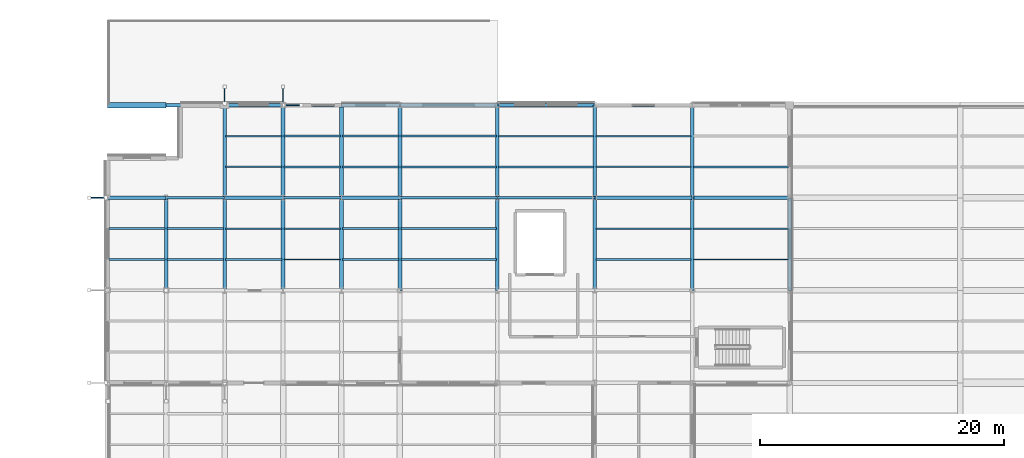
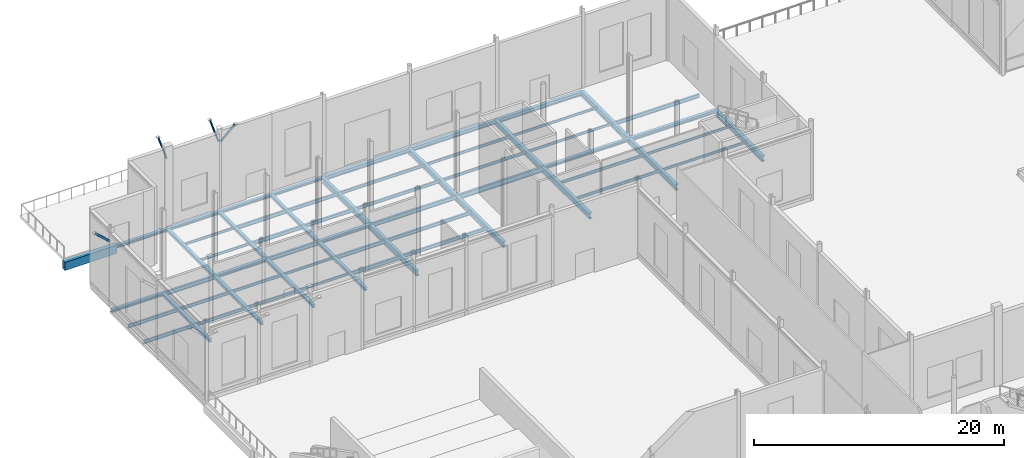
# One storey, part 113 of 176: 62 beams, 4 members.
"""IFC4 building model written with IfcOpenShell, lengths in metres."""

from ifc_helpers import new_model, si_unit, direction, frame, origin, origin_2d, place, context, subcontext, project, spatial, rectangle, hollow_rectangle, i_section, extrude, material, material_profile, profile_set, type_object, element, save


model = new_model("IFC4")

# Units and contexts
model_context = context("Model", 3, precision=1e-05, world=origin(), true_north=direction((0.0, 1.0)))
body_context = subcontext(model_context, "Body", "Model", "MODEL_VIEW")
ifc_project = project(units=[si_unit("LENGTHUNIT", "METRE"), si_unit("AREAUNIT", "SQUARE_METRE"), si_unit("VOLUMEUNIT", "CUBIC_METRE"), si_unit("PLANEANGLEUNIT", "RADIAN"), si_unit("MASSUNIT", "GRAM", prefix="KILO")], contexts=[model_context])

# Site, building, storey
site_placement = place(None, origin())
site = spatial("IfcSite", under=ifc_project, at=site_placement, CompositionType="ELEMENT")
building_placement = place(site_placement, origin())
building = spatial("IfcBuilding", under=site, at=building_placement, Name="Vekula Escarpment Museum", CompositionType="ELEMENT")
storey_placement = place(building_placement, origin())
storey = spatial("IfcBuildingStorey", under=building, at=storey_placement, Name="L01", CompositionType="ELEMENT", Elevation=0.0)

# Beams
ifc_material_1 = material(Name="Steel S355", Category="steel")
ifc_material_profile_1 = material_profile(ifc_material_1, i_section(OverallWidth=0.280029296875, OverallDepth=0.280029296875, WebThickness=0.010498046875, FlangeThickness=0.01806640625, FilletRadius=0.02392578125, at=origin_2d()), Name="HEB 280")
ifc_profile_set_1 = profile_set([ifc_material_profile_1], Name="Steel S355")
beam_type_1 = type_object("IfcBeamType", Name="BM-GIRD-HEB280", PredefinedType="BEAM", material=ifc_profile_set_1)
beam_1_placement = place(storey_placement, frame((0.0, 128.39990234375, -0.489990234375), z_axis=(1.0, 0.0, 0.0), x_axis=(0.0, 1.0, 0.0)))
element("IfcBeam", 1, at=beam_1_placement, inside=storey, type_object=beam_type_1, Name="Beam X L01 0352", PredefinedType="BEAM", context=body_context, shape_type="SweptSolid", body=[
    extrude(i_section(OverallWidth=0.280029296875, OverallDepth=0.280029296875, WebThickness=0.010498046875, FlangeThickness=0.01806640625, FilletRadius=0.02392578125, at=origin_2d()), origin(), (0.0, 0.0, 1.0), 4.800048828125),
])
beam_2_placement = place(storey_placement, frame((40.0, 128.39990234375, -0.489990234375), z_axis=(1.0, 0.0, 0.0), x_axis=(0.0, 1.0, 0.0)))
element("IfcBeam", 2, at=beam_2_placement, inside=storey, type_object=beam_type_1, Name="Beam X L01 0359", PredefinedType="BEAM", context=body_context, shape_type="SweptSolid", body=[
    extrude(i_section(OverallWidth=0.280029296875, OverallDepth=0.280029296875, WebThickness=0.010498046875, FlangeThickness=0.01806640625, FilletRadius=0.02392578125, at=origin_2d()), origin(), (0.0, 0.0, 1.0), 8.0),
])
ifc_material_2 = material(Name="Steel S355", Category="steel")
ifc_material_profile_2 = material_profile(ifc_material_2, i_section(OverallWidth=0.300048828125, OverallDepth=0.300048828125, WebThickness=0.010986328125, FlangeThickness=0.01904296875, FilletRadius=0.027099609375, at=origin_2d()), Name="HEB 300")
ifc_profile_set_2 = profile_set([ifc_material_profile_2], Name="Steel S355")
beam_type_2 = type_object("IfcBeamType", Name="BM-GIRD-HEB300", PredefinedType="BEAM", material=ifc_profile_set_2)
beam_3_placement = place(storey_placement, frame((9.60009765625, 128.39990234375, -0.5), z_axis=(1.0, 0.0, 0.0), x_axis=(0.0, 1.0, 0.0)))
element("IfcBeam", 3, at=beam_3_placement, inside=storey, type_object=beam_type_2, Name="Beam X L01 0354", PredefinedType="BEAM", context=body_context, shape_type="SweptSolid", body=[
    extrude(i_section(OverallWidth=0.300048828125, OverallDepth=0.300048828125, WebThickness=0.010986328125, FlangeThickness=0.01904296875, FilletRadius=0.027099609375, at=origin_2d()), origin(), (0.0, 0.0, 1.0), 4.7998046875),
])
beam_4_placement = place(storey_placement, frame((19.199951171875, 128.39990234375, -0.5), z_axis=(1.0, 0.0, 0.0), x_axis=(0.0, 1.0, 0.0)))
element("IfcBeam", 4, at=beam_4_placement, inside=storey, type_object=beam_type_2, Name="Beam X L01 0356", PredefinedType="BEAM", context=body_context, shape_type="SweptSolid", body=[
    extrude(i_section(OverallWidth=0.300048828125, OverallDepth=0.300048828125, WebThickness=0.010986328125, FlangeThickness=0.01904296875, FilletRadius=0.027099609375, at=origin_2d()), origin(), (0.0, 0.0, 1.0), 4.800048828125),
])
ifc_material_3 = material(Name="Steel S355", Category="steel")
ifc_material_profile_3 = material_profile(ifc_material_3, i_section(OverallWidth=0.300048828125, OverallDepth=0.320068359375, WebThickness=0.011474609375, FlangeThickness=0.0205078125, FilletRadius=0.027099609375, at=origin_2d()), Name="HEB 320")
ifc_profile_set_3 = profile_set([ifc_material_profile_3], Name="Steel S355")
beam_type_3 = type_object("IfcBeamType", Name="BM-GIRD-HEB320", PredefinedType="BEAM", material=ifc_profile_set_3)
beam_5_placement = place(storey_placement, frame((48.0, 128.39990234375, -0.510009765625), z_axis=(1.0, 0.0, 0.0), x_axis=(0.0, 1.0, 0.0)))
element("IfcBeam", 5, at=beam_5_placement, inside=storey, type_object=beam_type_3, Name="Beam X L01 0360", PredefinedType="BEAM", context=body_context, shape_type="SweptSolid", body=[
    extrude(i_section(OverallWidth=0.300048828125, OverallDepth=0.320068359375, WebThickness=0.011474609375, FlangeThickness=0.0205078125, FilletRadius=0.027099609375, at=origin_2d()), origin(), (0.0, 0.0, 1.0), 8.0),
])
ifc_material_4 = material(Name="Steel S355", Category="steel")
ifc_material_profile_4 = material_profile(ifc_material_4, i_section(OverallWidth=0.300048828125, OverallDepth=0.550048828125, WebThickness=0.014892578125, FlangeThickness=0.029052734375, FilletRadius=0.027099609375, at=origin_2d()), Name="HEB 550")
ifc_profile_set_4 = profile_set([ifc_material_profile_4], Name="Steel S355")
beam_type_4 = type_object("IfcBeamType", Name="BM-GIRD-HEB550", PredefinedType="BEAM", material=ifc_profile_set_4)
beam_6_placement = place(storey_placement, frame((24.0, 120.800048828125, -0.625), z_axis=(0.0, 1.0, 0.0), x_axis=(-1.0, 0.0, 0.0)))
element("IfcBeam", 6, at=beam_6_placement, inside=storey, type_object=beam_type_4, Name="Beam Y L01 0459", PredefinedType="BEAM", context=body_context, shape_type="SweptSolid", body=[
    extrude(i_section(OverallWidth=0.300048828125, OverallDepth=0.550048828125, WebThickness=0.014892578125, FlangeThickness=0.029052734375, FilletRadius=0.027099609375, at=origin_2d()), origin(), (0.0, 0.0, 1.0), 7.599853515625),
])
beam_7_placement = place(storey_placement, frame((24.0, 128.39990234375, -0.625), z_axis=(0.0, 1.0, 0.0), x_axis=(-1.0, 0.0, 0.0)))
element("IfcBeam", 7, at=beam_7_placement, inside=storey, type_object=beam_type_4, Name="Beam Y L01 0460", PredefinedType="BEAM", context=body_context, shape_type="SweptSolid", body=[
    extrude(i_section(OverallWidth=0.300048828125, OverallDepth=0.550048828125, WebThickness=0.014892578125, FlangeThickness=0.029052734375, FilletRadius=0.027099609375, at=origin_2d()), origin(), (0.0, 0.0, 1.0), 7.60009765625),
])
beam_8_placement = place(storey_placement, frame((32.0, 120.800048828125, -0.625), z_axis=(0.0, 1.0, 0.0), x_axis=(-1.0, 0.0, 0.0)))
element("IfcBeam", 8, at=beam_8_placement, inside=storey, type_object=beam_type_4, Name="Beam Y L01 0477", PredefinedType="BEAM", context=body_context, shape_type="SweptSolid", body=[
    extrude(i_section(OverallWidth=0.300048828125, OverallDepth=0.550048828125, WebThickness=0.014892578125, FlangeThickness=0.029052734375, FilletRadius=0.027099609375, at=origin_2d()), origin(), (0.0, 0.0, 1.0), 7.599853515625),
])
beam_9_placement = place(storey_placement, frame((32.0, 128.39990234375, -0.625), z_axis=(0.0, 1.0, 0.0), x_axis=(-1.0, 0.0, 0.0)))
element("IfcBeam", 9, at=beam_9_placement, inside=storey, type_object=beam_type_4, Name="Beam Y L01 0478", PredefinedType="BEAM", context=body_context, shape_type="SweptSolid", body=[
    extrude(i_section(OverallWidth=0.300048828125, OverallDepth=0.550048828125, WebThickness=0.014892578125, FlangeThickness=0.029052734375, FilletRadius=0.027099609375, at=origin_2d()), origin(), (0.0, 0.0, 1.0), 7.60009765625),
])
beam_10_placement = place(storey_placement, frame((40.0, 120.800048828125, -0.625), z_axis=(0.0, 1.0, 0.0), x_axis=(-1.0, 0.0, 0.0)))
element("IfcBeam", 10, at=beam_10_placement, inside=storey, type_object=beam_type_4, Name="Beam Y L01 0495", PredefinedType="BEAM", context=body_context, shape_type="SweptSolid", body=[
    extrude(i_section(OverallWidth=0.300048828125, OverallDepth=0.550048828125, WebThickness=0.014892578125, FlangeThickness=0.029052734375, FilletRadius=0.027099609375, at=origin_2d()), origin(), (0.0, 0.0, 1.0), 7.599853515625),
])
beam_11_placement = place(storey_placement, frame((40.0, 128.39990234375, -0.625), z_axis=(0.0, 1.0, 0.0), x_axis=(-1.0, 0.0, 0.0)))
element("IfcBeam", 11, at=beam_11_placement, inside=storey, type_object=beam_type_4, Name="Beam Y L01 0496", PredefinedType="BEAM", context=body_context, shape_type="SweptSolid", body=[
    extrude(i_section(OverallWidth=0.300048828125, OverallDepth=0.550048828125, WebThickness=0.014892578125, FlangeThickness=0.029052734375, FilletRadius=0.027099609375, at=origin_2d()), origin(), (0.0, 0.0, 1.0), 7.60009765625),
])
beam_12_placement = place(storey_placement, frame((48.0, 120.800048828125, -0.625), z_axis=(0.0, 1.0, 0.0), x_axis=(-1.0, 0.0, 0.0)))
element("IfcBeam", 12, at=beam_12_placement, inside=storey, type_object=beam_type_4, Name="Beam Y L01 0513", PredefinedType="BEAM", context=body_context, shape_type="SweptSolid", body=[
    extrude(i_section(OverallWidth=0.300048828125, OverallDepth=0.550048828125, WebThickness=0.014892578125, FlangeThickness=0.029052734375, FilletRadius=0.027099609375, at=origin_2d()), origin(), (0.0, 0.0, 1.0), 7.599853515625),
])
beam_13_placement = place(storey_placement, frame((48.0, 128.39990234375, -0.625), z_axis=(0.0, 1.0, 0.0), x_axis=(-1.0, 0.0, 0.0)))
element("IfcBeam", 13, at=beam_13_placement, inside=storey, type_object=beam_type_4, Name="Beam Y L01 0514", PredefinedType="BEAM", context=body_context, shape_type="SweptSolid", body=[
    extrude(i_section(OverallWidth=0.300048828125, OverallDepth=0.550048828125, WebThickness=0.014892578125, FlangeThickness=0.029052734375, FilletRadius=0.027099609375, at=origin_2d()), origin(), (0.0, 0.0, 1.0), 7.60009765625),
])
beam_14_placement = place(storey_placement, frame((56.0, 120.800048828125, -0.625), z_axis=(0.0, 1.0, 0.0), x_axis=(-1.0, 0.0, 0.0)))
element("IfcBeam", 14, at=beam_14_placement, inside=storey, type_object=beam_type_4, Name="Beam Y L01 0531", PredefinedType="BEAM", context=body_context, shape_type="SweptSolid", body=[
    extrude(i_section(OverallWidth=0.300048828125, OverallDepth=0.550048828125, WebThickness=0.014892578125, FlangeThickness=0.029052734375, FilletRadius=0.027099609375, at=origin_2d()), origin(), (0.0, 0.0, 1.0), 7.599853515625),
])
ifc_material_5 = material(Name="Steel S355", Category="steel")
ifc_material_profile_5 = material_profile(ifc_material_5, i_section(OverallWidth=0.179931640625, OverallDepth=0.39990234375, WebThickness=0.008544921875, FlangeThickness=0.013427734375, FilletRadius=0.02099609375, at=origin_2d()), Name="IPE 400")
ifc_profile_set_5 = profile_set([ifc_material_profile_5], Name="Steel S355")
beam_type_5 = type_object("IfcBeamType", Name="BM-GIRD-IPE400", PredefinedType="BEAM", material=ifc_profile_set_5)
for number, where, z_axis, x_axis, name in (
    (15, (4.800048828125, 128.39990234375, -0.550048828125), (1.0, 0.0, 0.0), (0.0, 1.0, 0.0), "Beam X L01 0353"),
    (16, (14.39990234375, 128.39990234375, -0.550048828125), (1.0, 0.0, 0.0), (0.0, 1.0, 0.0), "Beam X L01 0355"),
):
    element("IfcBeam", number, at=place(storey_placement, frame(where, z_axis=z_axis, x_axis=x_axis)), inside=storey, type_object=beam_type_5, Name=name, PredefinedType="BEAM", context=body_context, shape_type="SweptSolid", body=[
        extrude(i_section(OverallWidth=0.179931640625, OverallDepth=0.39990234375, WebThickness=0.008544921875, FlangeThickness=0.013427734375, FilletRadius=0.02099609375, at=origin_2d()), origin(), (0.0, 0.0, 1.0), 4.800048828125),
    ])
beam_15_placement = place(storey_placement, frame((24.0, 128.39990234375, -0.550048828125), z_axis=(1.0, 0.0, 0.0), x_axis=(0.0, 1.0, 0.0)))
element("IfcBeam", 17, at=beam_15_placement, inside=storey, type_object=beam_type_5, Name="Beam X L01 0357", PredefinedType="BEAM", context=body_context, shape_type="SweptSolid", body=[
    extrude(i_section(OverallWidth=0.179931640625, OverallDepth=0.39990234375, WebThickness=0.008544921875, FlangeThickness=0.013427734375, FilletRadius=0.02099609375, at=origin_2d()), origin(), (0.0, 0.0, 1.0), 8.0),
])
ifc_material_6 = material(Name="Steel S355", Category="steel")
ifc_material_profile_6 = material_profile(ifc_material_6, i_section(OverallWidth=0.199951171875, OverallDepth=0.5, WebThickness=0.01025390625, FlangeThickness=0.01611328125, FilletRadius=0.02099609375, at=origin_2d()), Name="IPE 500")
ifc_profile_set_6 = profile_set([ifc_material_profile_6], Name="Steel S355")
beam_type_6 = type_object("IfcBeamType", Name="BM-GIRD-IPE500", PredefinedType="BEAM", material=ifc_profile_set_6)
beam_16_placement = place(storey_placement, frame((32.0, 128.39990234375, -0.60009765625), z_axis=(1.0, 0.0, 0.0), x_axis=(0.0, 1.0, 0.0)))
element("IfcBeam", 18, at=beam_16_placement, inside=storey, type_object=beam_type_6, Name="Beam X L01 0358", PredefinedType="BEAM", context=body_context, shape_type="SweptSolid", body=[
    extrude(i_section(OverallWidth=0.199951171875, OverallDepth=0.5, WebThickness=0.01025390625, FlangeThickness=0.01611328125, FilletRadius=0.02099609375, at=origin_2d()), origin(), (0.0, 0.0, 1.0), 8.0),
])
ifc_material_7 = material(Name="Steel S355", Category="steel")
ifc_material_profile_7 = material_profile(ifc_material_7, i_section(OverallWidth=0.1201171875, OverallDepth=0.239990234375, WebThickness=0.006103515625, FlangeThickness=0.009765625, FilletRadius=0.014892578125, at=origin_2d()), Name="IPE 240")
ifc_profile_set_7 = profile_set([ifc_material_profile_7], Name="Steel S355")
beam_type_7 = type_object("IfcBeamType", Name="BM-JST-IPE240", PredefinedType="JOIST", material=ifc_profile_set_7)
for number, where, z_axis, x_axis, name in (
    (19, (9.68994140625, 130.933349609375, -0.469970703125), (1.0, 0.0, 0.0), (0.0, 1.0, 0.0), "Secondary Joist L01 0035"),
    (20, (9.68994140625, 133.466796875, -0.469970703125), (1.0, 0.0, 0.0), (0.0, 1.0, 0.0), "Secondary Joist L01 0036"),
    (21, (14.489990234375, 123.333251953125, -0.469970703125), (1.0, 0.0, 0.0), (0.0, 1.0, 0.0), "Secondary Joist L01 0047"),
    (22, (14.489990234375, 125.86669921875, -0.469970703125), (1.0, 0.0, 0.0), (0.0, 1.0, 0.0), "Secondary Joist L01 0048"),
):
    element("IfcBeam", number, at=place(storey_placement, frame(where, z_axis=z_axis, x_axis=x_axis)), inside=storey, type_object=beam_type_7, Name=name, PredefinedType="JOIST", context=body_context, shape_type="SweptSolid", body=[
        extrude(i_section(OverallWidth=0.1201171875, OverallDepth=0.239990234375, WebThickness=0.006103515625, FlangeThickness=0.009765625, FilletRadius=0.014892578125, at=origin_2d()), origin(), (0.0, 0.0, 1.0), 4.6201171875),
    ])
for number, where, z_axis, x_axis, name in (
    (23, (40.090087890625, 130.933349609375, -0.469970703125), (1.0, 0.0, 0.0), (0.0, 1.0, 0.0), "Secondary Joist L01 0173"),
    (24, (40.090087890625, 133.466796875, -0.469970703125), (1.0, 0.0, 0.0), (0.0, 1.0, 0.0), "Secondary Joist L01 0174"),
    (25, (48.090087890625, 123.333251953125, -0.469970703125), (1.0, 0.0, 0.0), (0.0, 1.0, 0.0), "Secondary Joist L01 0197"),
    (26, (48.090087890625, 125.86669921875, -0.469970703125), (1.0, 0.0, 0.0), (0.0, 1.0, 0.0), "Secondary Joist L01 0198"),
):
    element("IfcBeam", number, at=place(storey_placement, frame(where, z_axis=z_axis, x_axis=x_axis)), inside=storey, type_object=beam_type_7, Name=name, PredefinedType="JOIST", context=body_context, shape_type="SweptSolid", body=[
        extrude(i_section(OverallWidth=0.1201171875, OverallDepth=0.239990234375, WebThickness=0.006103515625, FlangeThickness=0.009765625, FilletRadius=0.014892578125, at=origin_2d()), origin(), (0.0, 0.0, 1.0), 7.81982421875),
    ])
ifc_material_8 = material(Name="Steel S355", Category="steel")
ifc_material_profile_8 = material_profile(ifc_material_8, i_section(OverallWidth=0.135009765625, OverallDepth=0.27001953125, WebThickness=0.006591796875, FlangeThickness=0.01025390625, FilletRadius=0.014892578125, at=origin_2d()), Name="IPE 270")
ifc_profile_set_8 = profile_set([ifc_material_profile_8], Name="Steel S355")
beam_type_8 = type_object("IfcBeamType", Name="BM-JST-IPE270", PredefinedType="JOIST", material=ifc_profile_set_8)
for number, where, z_axis, x_axis, name in (
    (27, (9.68994140625, 123.333251953125, -0.485107421875), (1.0, 0.0, 0.0), (0.0, 1.0, 0.0), "Secondary Joist L01 0033"),
    (28, (9.68994140625, 125.86669921875, -0.485107421875), (1.0, 0.0, 0.0), (0.0, 1.0, 0.0), "Secondary Joist L01 0034"),
):
    element("IfcBeam", number, at=place(storey_placement, frame(where, z_axis=z_axis, x_axis=x_axis)), inside=storey, type_object=beam_type_8, Name=name, PredefinedType="JOIST", context=body_context, shape_type="SweptSolid", body=[
        extrude(i_section(OverallWidth=0.135009765625, OverallDepth=0.27001953125, WebThickness=0.006591796875, FlangeThickness=0.01025390625, FilletRadius=0.014892578125, at=origin_2d()), origin(), (0.0, 0.0, 1.0), 4.6201171875),
    ])
for number, where, z_axis, x_axis, name in (
    (29, (32.090087890625, 130.933349609375, -0.485107421875), (1.0, 0.0, 0.0), (0.0, 1.0, 0.0), "Secondary Joist L01 0141"),
    (30, (32.090087890625, 133.466796875, -0.485107421875), (1.0, 0.0, 0.0), (0.0, 1.0, 0.0), "Secondary Joist L01 0142"),
    (31, (40.090087890625, 123.333251953125, -0.485107421875), (1.0, 0.0, 0.0), (0.0, 1.0, 0.0), "Secondary Joist L01 0171"),
    (32, (40.090087890625, 125.86669921875, -0.485107421875), (1.0, 0.0, 0.0), (0.0, 1.0, 0.0), "Secondary Joist L01 0172"),
):
    element("IfcBeam", number, at=place(storey_placement, frame(where, z_axis=z_axis, x_axis=x_axis)), inside=storey, type_object=beam_type_8, Name=name, PredefinedType="JOIST", context=body_context, shape_type="SweptSolid", body=[
        extrude(i_section(OverallWidth=0.135009765625, OverallDepth=0.27001953125, WebThickness=0.006591796875, FlangeThickness=0.01025390625, FilletRadius=0.014892578125, at=origin_2d()), origin(), (0.0, 0.0, 1.0), 7.81982421875),
    ])
ifc_material_9 = material(Name="Steel S355", Category="steel")
ifc_material_profile_9 = material_profile(ifc_material_9, i_section(OverallWidth=0.14990234375, OverallDepth=0.300048828125, WebThickness=0.007080078125, FlangeThickness=0.0107421875, FilletRadius=0.014892578125, at=origin_2d()), Name="IPE 300")
ifc_profile_set_9 = profile_set([ifc_material_profile_9], Name="Steel S355")
beam_type_9 = type_object("IfcBeamType", Name="BM-JST-IPE300", PredefinedType="JOIST", material=ifc_profile_set_9)
for number, where, z_axis, x_axis, name in (
    (33, (4.889892578125, 123.333251953125, -0.5), (1.0, 0.0, 0.0), (0.0, 1.0, 0.0), "Secondary Joist L01 0021"),
    (34, (4.889892578125, 125.86669921875, -0.5), (1.0, 0.0, 0.0), (0.0, 1.0, 0.0), "Secondary Joist L01 0022"),
):
    element("IfcBeam", number, at=place(storey_placement, frame(where, z_axis=z_axis, x_axis=x_axis)), inside=storey, type_object=beam_type_9, Name=name, PredefinedType="JOIST", context=body_context, shape_type="SweptSolid", body=[
        extrude(i_section(OverallWidth=0.14990234375, OverallDepth=0.300048828125, WebThickness=0.007080078125, FlangeThickness=0.0107421875, FilletRadius=0.014892578125, at=origin_2d()), origin(), (0.0, 0.0, 1.0), 4.6201171875),
    ])
for number, where, z_axis, x_axis, name in (
    (35, (24.090087890625, 130.933349609375, -0.5), (1.0, 0.0, 0.0), (0.0, 1.0, 0.0), "Secondary Joist L01 0112"),
    (36, (24.090087890625, 133.466796875, -0.5), (1.0, 0.0, 0.0), (0.0, 1.0, 0.0), "Secondary Joist L01 0113"),
):
    element("IfcBeam", number, at=place(storey_placement, frame(where, z_axis=z_axis, x_axis=x_axis)), inside=storey, type_object=beam_type_9, Name=name, PredefinedType="JOIST", context=body_context, shape_type="SweptSolid", body=[
        extrude(i_section(OverallWidth=0.14990234375, OverallDepth=0.300048828125, WebThickness=0.007080078125, FlangeThickness=0.0107421875, FilletRadius=0.014892578125, at=origin_2d()), origin(), (0.0, 0.0, 1.0), 7.81982421875),
    ])
ifc_material_10 = material(Name="Steel S355", Category="steel")
ifc_material_profile_10 = material_profile(ifc_material_10, i_section(OverallWidth=0.159912109375, OverallDepth=0.330078125, WebThickness=0.007568359375, FlangeThickness=0.011474609375, FilletRadius=0.01806640625, at=origin_2d()), Name="IPE 330")
ifc_profile_set_10 = profile_set([ifc_material_profile_10], Name="Steel S355")
beam_type_10 = type_object("IfcBeamType", Name="BM-JST-IPE330", PredefinedType="JOIST", material=ifc_profile_set_10)
for number, where, z_axis, x_axis, name in (
    (37, (0.090087890625, 123.333251953125, -0.514892578125), (1.0, 0.0, 0.0), (0.0, 1.0, 0.0), "Secondary Joist L01 0010"),
    (38, (0.090087890625, 125.86669921875, -0.514892578125), (1.0, 0.0, 0.0), (0.0, 1.0, 0.0), "Secondary Joist L01 0011"),
    (39, (19.2900390625, 130.933349609375, -0.514892578125), (1.0, 0.0, 0.0), (0.0, 1.0, 0.0), "Secondary Joist L01 0081"),
    (40, (19.2900390625, 133.466796875, -0.514892578125), (1.0, 0.0, 0.0), (0.0, 1.0, 0.0), "Secondary Joist L01 0082"),
):
    element("IfcBeam", number, at=place(storey_placement, frame(where, z_axis=z_axis, x_axis=x_axis)), inside=storey, type_object=beam_type_10, Name=name, PredefinedType="JOIST", context=body_context, shape_type="SweptSolid", body=[
        extrude(i_section(OverallWidth=0.159912109375, OverallDepth=0.330078125, WebThickness=0.007568359375, FlangeThickness=0.011474609375, FilletRadius=0.01806640625, at=origin_2d()), origin(), (0.0, 0.0, 1.0), 4.619873046875),
    ])
for number, where, z_axis, x_axis, name in (
    (41, (24.090087890625, 123.333251953125, -0.514892578125), (1.0, 0.0, 0.0), (0.0, 1.0, 0.0), "Secondary Joist L01 0110"),
    (42, (24.090087890625, 125.86669921875, -0.514892578125), (1.0, 0.0, 0.0), (0.0, 1.0, 0.0), "Secondary Joist L01 0111"),
):
    element("IfcBeam", number, at=place(storey_placement, frame(where, z_axis=z_axis, x_axis=x_axis)), inside=storey, type_object=beam_type_10, Name=name, PredefinedType="JOIST", context=body_context, shape_type="SweptSolid", body=[
        extrude(i_section(OverallWidth=0.159912109375, OverallDepth=0.330078125, WebThickness=0.007568359375, FlangeThickness=0.011474609375, FilletRadius=0.01806640625, at=origin_2d()), origin(), (0.0, 0.0, 1.0), 7.81982421875),
    ])
ifc_material_11 = material(Name="Steel S355", Category="steel")
ifc_material_profile_11 = material_profile(ifc_material_11, i_section(OverallWidth=0.169921875, OverallDepth=0.360107421875, WebThickness=0.008056640625, FlangeThickness=0.0126953125, FilletRadius=0.01806640625, at=origin_2d()), Name="IPE 360")
ifc_profile_set_11 = profile_set([ifc_material_profile_11], Name="Steel S355")
beam_type_11 = type_object("IfcBeamType", Name="BM-JST-IPE360", PredefinedType="JOIST", material=ifc_profile_set_11)
for number, where, z_axis, x_axis, name in (
    (43, (14.489990234375, 130.933349609375, -0.530029296875), (1.0, 0.0, 0.0), (0.0, 1.0, 0.0), "Secondary Joist L01 0049"),
    (44, (14.489990234375, 133.466796875, -0.530029296875), (1.0, 0.0, 0.0), (0.0, 1.0, 0.0), "Secondary Joist L01 0050"),
):
    element("IfcBeam", number, at=place(storey_placement, frame(where, z_axis=z_axis, x_axis=x_axis)), inside=storey, type_object=beam_type_11, Name=name, PredefinedType="JOIST", context=body_context, shape_type="SweptSolid", body=[
        extrude(i_section(OverallWidth=0.169921875, OverallDepth=0.360107421875, WebThickness=0.008056640625, FlangeThickness=0.0126953125, FilletRadius=0.01806640625, at=origin_2d()), origin(), (0.0, 0.0, 1.0), 4.6201171875),
    ])
for number, where, z_axis, x_axis, name in (
    (45, (19.2900390625, 123.333251953125, -0.530029296875), (1.0, 0.0, 0.0), (0.0, 1.0, 0.0), "Secondary Joist L01 0079"),
    (46, (19.2900390625, 125.86669921875, -0.530029296875), (1.0, 0.0, 0.0), (0.0, 1.0, 0.0), "Secondary Joist L01 0080"),
):
    element("IfcBeam", number, at=place(storey_placement, frame(where, z_axis=z_axis, x_axis=x_axis)), inside=storey, type_object=beam_type_11, Name=name, PredefinedType="JOIST", context=body_context, shape_type="SweptSolid", body=[
        extrude(i_section(OverallWidth=0.169921875, OverallDepth=0.360107421875, WebThickness=0.008056640625, FlangeThickness=0.0126953125, FilletRadius=0.01806640625, at=origin_2d()), origin(), (0.0, 0.0, 1.0), 4.619873046875),
    ])
beam_17_placement = place(storey_placement, frame((48.090087890625, 130.933349609375, -0.530029296875), z_axis=(1.0, 0.0, 0.0), x_axis=(0.0, 1.0, 0.0)))
element("IfcBeam", 47, at=beam_17_placement, inside=storey, type_object=beam_type_11, Name="Secondary Joist L01 0199", PredefinedType="JOIST", context=body_context, shape_type="SweptSolid", body=[
    extrude(i_section(OverallWidth=0.169921875, OverallDepth=0.360107421875, WebThickness=0.008056640625, FlangeThickness=0.0126953125, FilletRadius=0.01806640625, at=origin_2d()), origin(), (0.0, 0.0, 1.0), 7.81982421875),
])
ifc_material_12 = material(Name="Concrete C35/45", Category="concrete")
ifc_material_profile_12 = material_profile(ifc_material_12, rectangle(XDim=0.449951171875, YDim=0.800048828125, at=origin_2d()), Name="RC 450x800")
ifc_profile_set_12 = profile_set([ifc_material_profile_12], Name="Concrete C35/45")
beam_type_12 = type_object("IfcBeamType", Name="BM-PLINTH-RC", PredefinedType="BEAM", material=ifc_profile_set_12)
beam_18_placement = place(storey_placement, frame((0.0, 136.0, -0.64990234375), z_axis=(1.0, 0.0, 0.0), x_axis=(0.0, 1.0, 0.0)))
element("IfcBeam", 48, at=beam_18_placement, inside=storey, type_object=beam_type_12, Name="Beam X L01 0375", PredefinedType="BEAM", context=body_context, shape_type="SweptSolid", body=[
    extrude(rectangle(XDim=0.449951171875, YDim=0.800048828125, at=origin_2d()), origin(), (0.0, 0.0, 1.0), 4.800048828125),
])
ifc_material_13 = material(Name="Steel S355", Category="steel")
ifc_material_profile_13 = material_profile(ifc_material_13, i_section(OverallWidth=0.280029296875, OverallDepth=0.27001953125, WebThickness=0.008056640625, FlangeThickness=0.012939453125, FilletRadius=0.02392578125, at=origin_2d()), Name="HEA 280")
ifc_profile_set_13 = profile_set([ifc_material_profile_13], Name="Steel S355")
beam_type_13 = type_object("IfcBeamType", Name="BM-SPAN-HEA280", PredefinedType="SPANDREL", material=ifc_profile_set_13)
beam_19_placement = place(storey_placement, frame((4.800048828125, 136.0, -0.485107421875), z_axis=(1.0, 0.0, 0.0), x_axis=(0.0, 1.0, 0.0)))
element("IfcBeam", 49, at=beam_19_placement, inside=storey, type_object=beam_type_13, Name="Beam X L01 0376", PredefinedType="SPANDREL", context=body_context, shape_type="SweptSolid", body=[
    extrude(i_section(OverallWidth=0.280029296875, OverallDepth=0.27001953125, WebThickness=0.008056640625, FlangeThickness=0.012939453125, FilletRadius=0.02392578125, at=origin_2d()), origin(), (0.0, 0.0, 1.0), 4.800048828125),
])
beam_20_placement = place(storey_placement, frame((9.60009765625, 136.0, -0.485107421875), z_axis=(1.0, 0.0, 0.0), x_axis=(0.0, 1.0, 0.0)))
element("IfcBeam", 50, at=beam_20_placement, inside=storey, type_object=beam_type_13, Name="Beam X L01 0377", PredefinedType="SPANDREL", context=body_context, shape_type="SweptSolid", body=[
    extrude(i_section(OverallWidth=0.280029296875, OverallDepth=0.27001953125, WebThickness=0.008056640625, FlangeThickness=0.012939453125, FilletRadius=0.02392578125, at=origin_2d()), origin(), (0.0, 0.0, 1.0), 4.7998046875),
])
for number, where, z_axis, x_axis, name in (
    (51, (14.39990234375, 136.0, -0.485107421875), (1.0, 0.0, 0.0), (0.0, 1.0, 0.0), "Beam X L01 0378"),
    (52, (19.199951171875, 136.0, -0.485107421875), (1.0, 0.0, 0.0), (0.0, 1.0, 0.0), "Beam X L01 0379"),
):
    element("IfcBeam", number, at=place(storey_placement, frame(where, z_axis=z_axis, x_axis=x_axis)), inside=storey, type_object=beam_type_13, Name=name, PredefinedType="SPANDREL", context=body_context, shape_type="SweptSolid", body=[
        extrude(i_section(OverallWidth=0.280029296875, OverallDepth=0.27001953125, WebThickness=0.008056640625, FlangeThickness=0.012939453125, FilletRadius=0.02392578125, at=origin_2d()), origin(), (0.0, 0.0, 1.0), 4.800048828125),
    ])
ifc_material_14 = material(Name="Steel S355", Category="steel")
ifc_material_profile_14 = material_profile(ifc_material_14, i_section(OverallWidth=0.300048828125, OverallDepth=0.2900390625, WebThickness=0.008544921875, FlangeThickness=0.013916015625, FilletRadius=0.027099609375, at=origin_2d()), Name="HEA 300")
ifc_profile_set_14 = profile_set([ifc_material_profile_14], Name="Steel S355")
beam_type_14 = type_object("IfcBeamType", Name="BM-SPAN-HEA300", PredefinedType="SPANDREL", material=ifc_profile_set_14)
for number, where, z_axis, x_axis, name in (
    (53, (4.800048828125, 120.800048828125, -0.4951171875), (0.0, 1.0, 0.0), (-1.0, 0.0, 0.0), "Beam Y L01 0408"),
    (54, (9.60009765625, 120.800048828125, -0.4951171875), (0.0, 1.0, 0.0), (-1.0, 0.0, 0.0), "Beam Y L01 0415"),
):
    element("IfcBeam", number, at=place(storey_placement, frame(where, z_axis=z_axis, x_axis=x_axis)), inside=storey, type_object=beam_type_14, Name=name, PredefinedType="SPANDREL", context=body_context, shape_type="SweptSolid", body=[
        extrude(i_section(OverallWidth=0.300048828125, OverallDepth=0.2900390625, WebThickness=0.008544921875, FlangeThickness=0.013916015625, FilletRadius=0.027099609375, at=origin_2d()), origin(), (0.0, 0.0, 1.0), 7.599853515625),
    ])
beam_21_placement = place(storey_placement, frame((9.60009765625, 128.39990234375, -0.4951171875), z_axis=(0.0, 1.0, 0.0), x_axis=(-1.0, 0.0, 0.0)))
element("IfcBeam", 55, at=beam_21_placement, inside=storey, type_object=beam_type_14, Name="Beam Y L01 0416", PredefinedType="SPANDREL", context=body_context, shape_type="SweptSolid", body=[
    extrude(i_section(OverallWidth=0.300048828125, OverallDepth=0.2900390625, WebThickness=0.008544921875, FlangeThickness=0.013916015625, FilletRadius=0.027099609375, at=origin_2d()), origin(), (0.0, 0.0, 1.0), 7.60009765625),
])
beam_22_placement = place(storey_placement, frame((14.39990234375, 120.800048828125, -0.4951171875), z_axis=(0.0, 1.0, 0.0), x_axis=(-1.0, 0.0, 0.0)))
element("IfcBeam", 56, at=beam_22_placement, inside=storey, type_object=beam_type_14, Name="Beam Y L01 0423", PredefinedType="SPANDREL", context=body_context, shape_type="SweptSolid", body=[
    extrude(i_section(OverallWidth=0.300048828125, OverallDepth=0.2900390625, WebThickness=0.008544921875, FlangeThickness=0.013916015625, FilletRadius=0.027099609375, at=origin_2d()), origin(), (0.0, 0.0, 1.0), 7.599853515625),
])
beam_23_placement = place(storey_placement, frame((14.39990234375, 128.39990234375, -0.4951171875), z_axis=(0.0, 1.0, 0.0), x_axis=(-1.0, 0.0, 0.0)))
element("IfcBeam", 57, at=beam_23_placement, inside=storey, type_object=beam_type_14, Name="Beam Y L01 0424", PredefinedType="SPANDREL", context=body_context, shape_type="SweptSolid", body=[
    extrude(i_section(OverallWidth=0.300048828125, OverallDepth=0.2900390625, WebThickness=0.008544921875, FlangeThickness=0.013916015625, FilletRadius=0.027099609375, at=origin_2d()), origin(), (0.0, 0.0, 1.0), 7.60009765625),
])
beam_24_placement = place(storey_placement, frame((19.199951171875, 120.800048828125, -0.4951171875), z_axis=(0.0, 1.0, 0.0), x_axis=(-1.0, 0.0, 0.0)))
element("IfcBeam", 58, at=beam_24_placement, inside=storey, type_object=beam_type_14, Name="Beam Y L01 0441", PredefinedType="SPANDREL", context=body_context, shape_type="SweptSolid", body=[
    extrude(i_section(OverallWidth=0.300048828125, OverallDepth=0.2900390625, WebThickness=0.008544921875, FlangeThickness=0.013916015625, FilletRadius=0.027099609375, at=origin_2d()), origin(), (0.0, 0.0, 1.0), 7.599853515625),
])
beam_25_placement = place(storey_placement, frame((19.199951171875, 128.39990234375, -0.4951171875), z_axis=(0.0, 1.0, 0.0), x_axis=(-1.0, 0.0, 0.0)))
element("IfcBeam", 59, at=beam_25_placement, inside=storey, type_object=beam_type_14, Name="Beam Y L01 0442", PredefinedType="SPANDREL", context=body_context, shape_type="SweptSolid", body=[
    extrude(i_section(OverallWidth=0.300048828125, OverallDepth=0.2900390625, WebThickness=0.008544921875, FlangeThickness=0.013916015625, FilletRadius=0.027099609375, at=origin_2d()), origin(), (0.0, 0.0, 1.0), 7.60009765625),
])
ifc_material_15 = material(Name="Steel S355", Category="steel")
ifc_material_profile_15 = material_profile(ifc_material_15, i_section(OverallWidth=0.300048828125, OverallDepth=0.389892578125, WebThickness=0.010986328125, FlangeThickness=0.01904296875, FilletRadius=0.027099609375, at=origin_2d()), Name="HEA 400")
ifc_profile_set_15 = profile_set([ifc_material_profile_15], Name="Steel S355")
beam_type_15 = type_object("IfcBeamType", Name="BM-SPAN-HEA400", PredefinedType="SPANDREL", material=ifc_profile_set_15)
for number, where, z_axis, x_axis, name in (
    (60, (24.0, 136.0, -0.544921875), (1.0, 0.0, 0.0), (0.0, 1.0, 0.0), "Beam X L01 0380"),
    (61, (32.0, 136.0, -0.544921875), (1.0, 0.0, 0.0), (0.0, 1.0, 0.0), "Beam X L01 0381"),
    (62, (40.0, 136.0, -0.544921875), (1.0, 0.0, 0.0), (0.0, 1.0, 0.0), "Beam X L01 0382"),
):
    element("IfcBeam", number, at=place(storey_placement, frame(where, z_axis=z_axis, x_axis=x_axis)), inside=storey, type_object=beam_type_15, Name=name, PredefinedType="SPANDREL", context=body_context, shape_type="SweptSolid", body=[
        extrude(i_section(OverallWidth=0.300048828125, OverallDepth=0.389892578125, WebThickness=0.010986328125, FlangeThickness=0.01904296875, FilletRadius=0.027099609375, at=origin_2d()), origin(), (0.0, 0.0, 1.0), 8.0),
    ])

# Members
ifc_material_16 = material(Name="Steel S355", Category="steel")
ifc_material_profile_16 = material_profile(ifc_material_16, hollow_rectangle(XDim=0.10009765625, YDim=0.199951171875, WallThickness=0.008056640625, InnerFilletRadius=0.008056640625, OuterFilletRadius=0.01611328125, at=origin_2d()), Name="RHS 200x100x8")
ifc_profile_set_16 = profile_set([ifc_material_profile_16], Name="Steel S355")
member_type = type_object("IfcMemberType", Name="MB-SACAK-BRK", PredefinedType="STRUT", material=ifc_profile_set_16)
for number, where, z_axis, x_axis, name in (
    (63, (-0.1201171875, 128.39990234375, 6.35009765625), (-0.738454378718, 0.0, 0.674303441006), (0.0, -1.0, 0.0), "Ottoman Sacak Eave Bracket L02-0004"),
    (64, (9.60009765625, 136.1201171875, 6.35009765625), (0.0, 0.738454378718, 0.674303441006), (-1.0, 0.0, 0.0), "Ottoman Sacak Eave Bracket L02-0007"),
    (65, (14.52001953125, 136.0, 6.35009765625), (0.738454378718, 0.0, 0.674303441006), (0.0, 1.0, 0.0), "Ottoman Sacak Eave Bracket L02-0008"),
    (66, (14.39990234375, 136.1201171875, 6.35009765625), (0.0, 0.738454378718, 0.674303441006), (-1.0, 0.0, 0.0), "Ottoman Sacak Eave Bracket L02-0009"),
):
    element("IfcMember", number, at=place(storey_placement, frame(where, z_axis=z_axis, x_axis=x_axis)), inside=storey, type_object=member_type, Name=name, PredefinedType="STRUT", context=body_context, shape_type="SweptSolid", body=[
        extrude(hollow_rectangle(XDim=0.10009765625, YDim=0.199951171875, WallThickness=0.008056640625, InnerFilletRadius=0.008056640625, OuterFilletRadius=0.01611328125, at=origin_2d()), origin(), (0.0, 0.0, 1.0), 1.86865234375),
    ])

save(model, "model.ifc")
